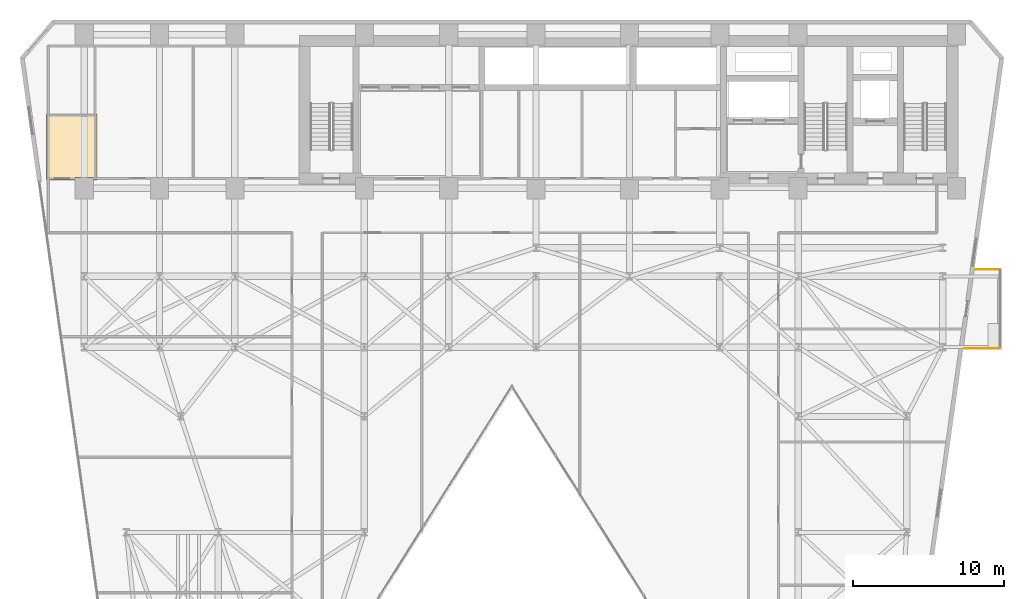
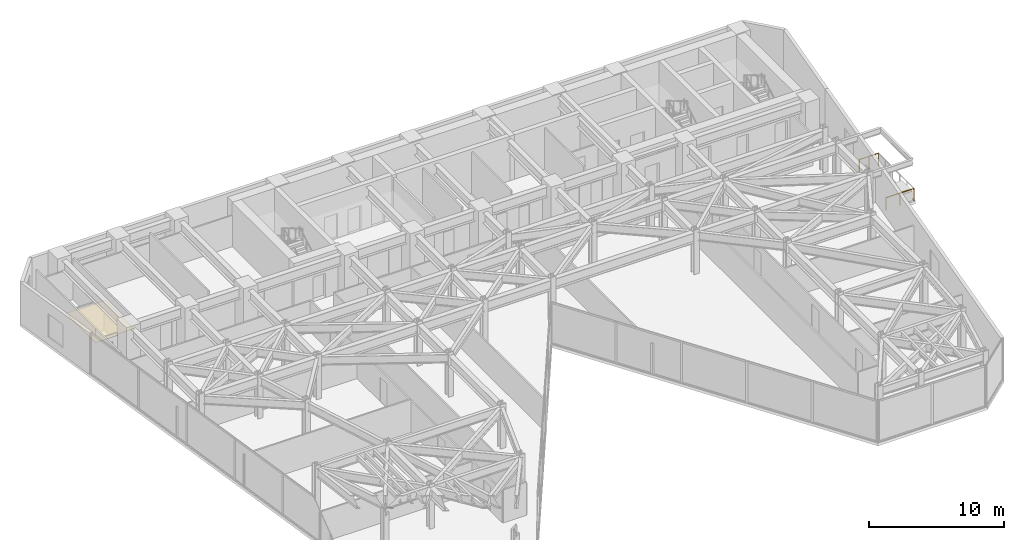
# One storey, part 22 of 24: 2 railings, 1 covering.
"""IFC4 building model written with IfcOpenShell, lengths in metres."""

from ifc_helpers import new_model, si_unit, direction, frame, origin, origin_2d, place, context, subcontext, project, spatial, polyline, circle, outline, extrude, material, layer, layer_set, type_object, element, save


model = new_model("IFC4")

# Units and contexts
model_context = context("Model", 3, precision=1e-05, world=origin(), true_north=direction((0.0, 1.0)))
body_context = subcontext(model_context, "Body", "Model", "MODEL_VIEW")
ifc_project = project(units=[si_unit("LENGTHUNIT", "METRE"), si_unit("AREAUNIT", "SQUARE_METRE"), si_unit("VOLUMEUNIT", "CUBIC_METRE"), si_unit("PLANEANGLEUNIT", "RADIAN"), si_unit("MASSUNIT", "GRAM", prefix="KILO")], contexts=[model_context])

# Site, building, storey
site_placement = place(None, origin())
site = spatial("IfcSite", under=ifc_project, at=site_placement, CompositionType="ELEMENT")
building_placement = place(site_placement, origin())
building = spatial("IfcBuilding", under=site, at=building_placement, Name="Kravanh Interchange Tower", CompositionType="ELEMENT")
storey_placement = place(building_placement, frame((0.0, 0.0, 77.5)))
storey = spatial("IfcBuildingStorey", under=building, at=storey_placement, Name="L18", CompositionType="ELEMENT", Elevation=77.5)

# Covering
ifc_material_1 = material(Name="Acoustic Mineral Fibre Tile on Aluminium Grid", Category="aluminium")
ifc_layer_1 = layer(ifc_material_1, 0.02490234375)
ifc_layer_set_1 = layer_set([ifc_layer_1], Name="Perforated Acoustic Mineral Ceiling 25mm")
covering_type = type_object("IfcCoveringType", Name="Perforated Acoustic Mineral Ceiling 25mm", PredefinedType="CEILING", material=ifc_layer_set_1)
covering_placement = place(storey_placement, frame((0.0, 0.0, 2.550048828125)))
element("IfcCovering", 1, at=covering_placement, inside=storey, type_object=covering_type, Name="L18 Accessible WC Suspended Ceiling", PredefinedType="CEILING", context=body_context, shape_type="SweptSolid", body=[
    extrude(outline(polyline([(9.4599609375, 42.280029296875), (9.4599609375, 37.909912109375), (9.199951171875, 37.909912109375), (9.199951171875, 38.050048828125), (8.0, 38.050048828125), (8.0, 37.909912109375), (6.080078125, 37.909912109375), (6.080078125, 42.280029296875), (9.4599609375, 42.280029296875)])), origin(), (0.0, 0.0, 1.0), 0.02490234375),
])

# Railings
ifc_material_2 = material(Name="Stainless Steel 316", Category="steel")
ifc_layer_2 = layer(ifc_material_2, 0.06005859375)
ifc_layer_set_2 = layer_set([ifc_layer_2], Name="Perimeter Balcony and Terrace Guardrail Stainless 316 1120mm")
railing_type = type_object("IfcRailingType", Name="Perimeter Balcony and Terrace Guardrail Stainless 316 1120mm", PredefinedType="GUARDRAIL", material=ifc_layer_set_2)
railing_1_placement = place(storey_placement, frame((69.409912109375, 26.7099609375, 0.0)))
element("IfcRailing", 2, at=railing_1_placement, inside=storey, type_object=railing_type, Name="L18 E Balcony Guardrail 2", PredefinedType="GUARDRAIL", context=body_context, shape_type="SweptSolid", body=[
    extrude(circle(Radius=0.02392578125, at=origin_2d()), frame((0.0, 0.0, 1.09619140625), z_axis=(-1.0, 0.0, 0.0), x_axis=(0.0, -1.0, 0.0)), (0.0, 0.0, 1.0), 2.37646484375),
    extrude(circle(Radius=0.02099609375, at=origin_2d()), origin(), (0.0, 0.0, 1.0), 1.072021484375),
    extrude(circle(Radius=0.02099609375, at=origin_2d()), frame((-1.188232421875, 0.0, 0.0)), (0.0, 0.0, 1.0), 1.072021484375),
    extrude(circle(Radius=0.02099609375, at=origin_2d()), frame((-2.37646484375, 0.0, 0.0)), (0.0, 0.0, 1.0), 1.072021484375),
])
railing_2_placement = place(storey_placement, frame((67.77001953125, 31.949951171875, 0.0)))
element("IfcRailing", 3, at=railing_2_placement, inside=storey, type_object=railing_type, Name="L18 E Balcony Guardrail 3", PredefinedType="GUARDRAIL", context=body_context, shape_type="SweptSolid", body=[
    extrude(circle(Radius=0.02392578125, at=origin_2d()), frame((0.0, 0.0, 1.09619140625), z_axis=(1.0, 0.0, 0.0), x_axis=(0.0, 1.0, 0.0)), (0.0, 0.0, 1.0), 1.639892578125),
    extrude(circle(Radius=0.02099609375, at=origin_2d()), origin(), (0.0, 0.0, 1.0), 1.072021484375),
    extrude(circle(Radius=0.02099609375, at=origin_2d()), frame((0.81982421875, 0.0, 0.0)), (0.0, 0.0, 1.0), 1.072021484375),
    extrude(circle(Radius=0.02099609375, at=origin_2d()), frame((1.639892578125, 0.0, 0.0)), (0.0, 0.0, 1.0), 1.072021484375),
])

save(model, "model.ifc")
